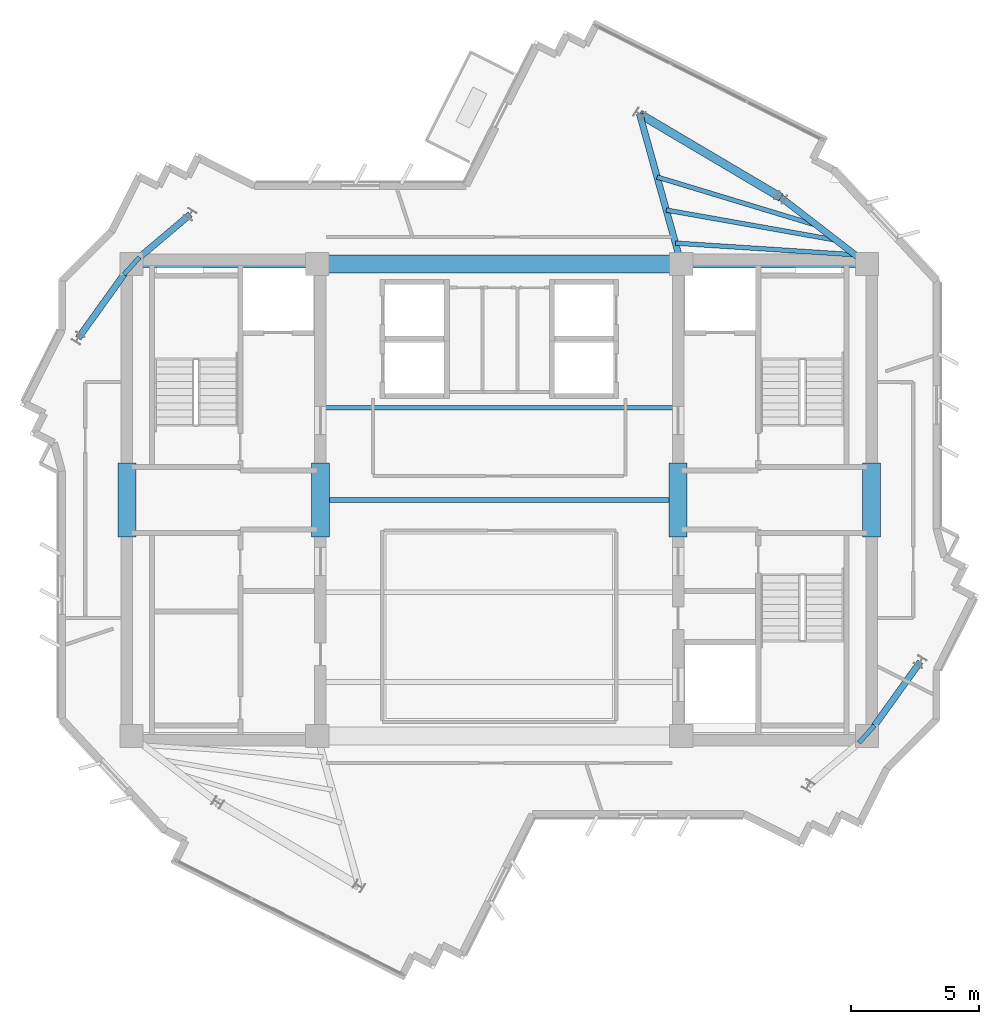
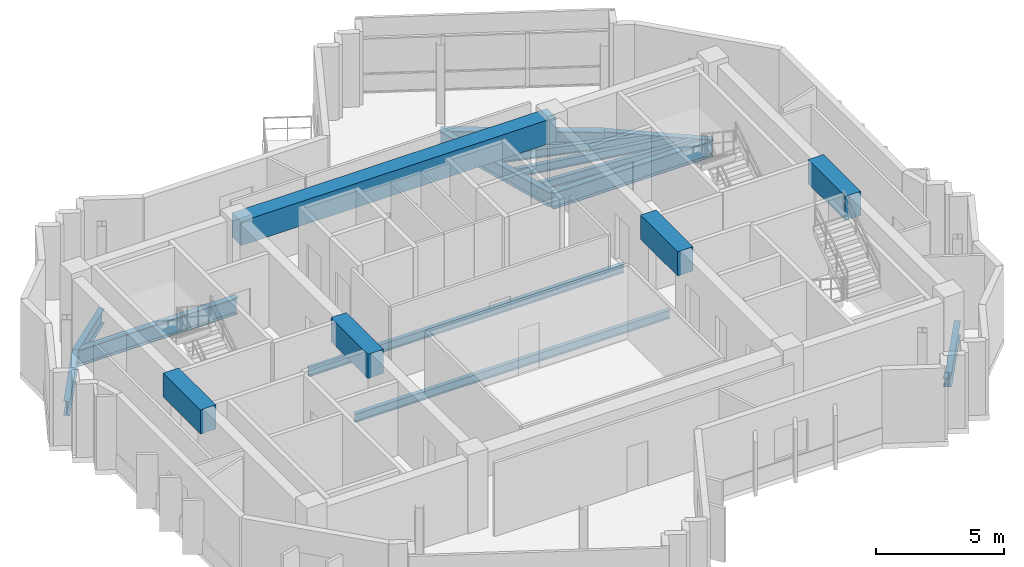
# One storey, part 3 of 11: 20 beams.
"""IFC4 building model written with IfcOpenShell, lengths in metres."""

from ifc_helpers import new_model, si_unit, direction, frame, origin, origin_2d, place, context, subcontext, project, spatial, rectangle, i_section, extrude, source, transform, mapped, material, material_profile, profile_set, type_object, element, save


model = new_model("IFC4")

# Units and contexts
model_context = context("Model", 3, precision=1e-05, world=origin(), true_north=direction((0.0, 1.0)))
body_context = subcontext(model_context, "Body", "Model", "MODEL_VIEW")
ifc_project = project(units=[si_unit("LENGTHUNIT", "METRE"), si_unit("AREAUNIT", "SQUARE_METRE"), si_unit("VOLUMEUNIT", "CUBIC_METRE"), si_unit("PLANEANGLEUNIT", "RADIAN"), si_unit("MASSUNIT", "GRAM", prefix="KILO")], contexts=[model_context])

# Site, building, storey
site_placement = place(None, origin())
site = spatial("IfcSite", under=ifc_project, at=site_placement, CompositionType="ELEMENT")
building_placement = place(site_placement, origin())
building = spatial("IfcBuilding", under=site, at=building_placement, Name="Zahravan Cultural Tower", CompositionType="ELEMENT")
storey_placement = place(building_placement, frame((0.0, 0.0, 353.550048828125)))
storey = spatial("IfcBuildingStorey", under=building, at=storey_placement, Name="L86", CompositionType="ELEMENT", Elevation=353.550048828125)

# Beams
ifc_material_1 = material(Name="Concrete C50/60", Category="concrete")
ifc_material_profile_1 = material_profile(ifc_material_1, rectangle(XDim=0.699951171875, YDim=1.14990234375, at=origin_2d()), Name="RC700X1150")
ifc_profile_set_1 = profile_set([ifc_material_profile_1], Name="Concrete C50/60")
beam_type_1 = type_object("IfcBeamType", Name="BM-LN-RC700X1150", PredefinedType="LINTEL", material=ifc_profile_set_1)
shared_shape_1 = source(origin(), body_context, "Body", "SweptSolid", [
    extrude(rectangle(XDim=0.699951171875, YDim=1.14990234375, at=origin_2d()), origin(), (0.0, 0.0, 1.0), 14.2001953125),
])
beam_1_placement = place(storey_placement, frame((28.89990234375, 36.199951171875, 2.925048828125), z_axis=(1.0, 0.0, 0.0), x_axis=(0.0, 1.0, 0.0)))
element("IfcBeam", 1, at=beam_1_placement, inside=storey, type_object=beam_type_1, Name="L86 Beam LN-L86-N", PredefinedType="LINTEL", context=body_context, shape_type="MappedRepresentation", body=[
    mapped(shared_shape_1, transform((0.0, 0.0, 0.0), x_axis=(1.0, 0.0, 0.0), y_axis=(0.0, 1.0, 0.0), z_axis=(0.0, 0.0, 1.0), scale=1.0)),
])
shared_shape_2 = source(origin(), body_context, "Body", "SweptSolid", [
    extrude(rectangle(XDim=0.699951171875, YDim=1.14990234375, at=origin_2d()), origin(), (0.0, 0.0, 1.0), 2.89990234375),
])
for number, where, z_axis, x_axis, name in (
    (2, (21.47509765625, 25.550048828125, 2.925048828125), (0.0, 1.0, 0.0), (-1.0, 0.0, 0.0), "L86 Beam LN-L86-PWW"),
    (3, (29.02490234375, 25.550048828125, 2.925048828125), (0.0, 1.0, 0.0), (-1.0, 0.0, 0.0), "L86 Beam LN-L86-PWE"),
    (4, (42.97509765625, 25.550048828125, 2.925048828125), (0.0, 1.0, 0.0), (-1.0, 0.0, 0.0), "L86 Beam LN-L86-PEW"),
    (5, (50.52490234375, 25.550048828125, 2.925048828125), (0.0, 1.0, 0.0), (-1.0, 0.0, 0.0), "L86 Beam LN-L86-PEE"),
):
    element("IfcBeam", number, at=place(storey_placement, frame(where, z_axis=z_axis, x_axis=x_axis)), inside=storey, type_object=beam_type_1, Name=name, PredefinedType="LINTEL", context=body_context, shape_type="MappedRepresentation", body=[
        mapped(shared_shape_2, transform((0.0, 0.0, 0.0), x_axis=(1.0, 0.0, 0.0), y_axis=(0.0, 1.0, 0.0), z_axis=(0.0, 0.0, 1.0), scale=1.0)),
    ])
ifc_material_2 = material(Name="Steel ASTM A992 Grade 50", Category="steel")
ifc_material_profile_2 = material_profile(ifc_material_2, i_section(OverallWidth=0.26611328125, OverallDepth=0.780029296875, WebThickness=0.0166015625, FlangeThickness=0.030029296875, FilletRadius=0.01904296875, at=origin_2d()), Name="W30X148")
ifc_profile_set_2 = profile_set([ifc_material_profile_2], Name="Steel ASTM A992 Grade 50")
beam_type_2 = type_object("IfcBeamType", Name="BM-G-W30X148", PredefinedType="BEAM", material=ifc_profile_set_2)
shared_shape_3 = source(origin(), body_context, "Body", "SweptSolid", [
    extrude(i_section(OverallWidth=0.26611328125, OverallDepth=0.780029296875, WebThickness=0.0166015625, FlangeThickness=0.030029296875, FilletRadius=0.01904296875, at=origin_2d()), origin(), (0.0, 0.0, 1.0), 7.25),
])
for number, where, z_axis, x_axis, name in (
    (6, (21.64990234375, 36.199951171875, -0.64013671875), (1.0, 0.0, 0.0), (0.0, 1.0, 0.0), "L86 Beam BG-L86-02"),
    (7, (43.10009765625, 36.199951171875, -0.64013671875), (1.0, 0.0, 0.0), (0.0, 1.0, 0.0), "L86 Beam BG-L86-05"),
):
    element("IfcBeam", number, at=place(storey_placement, frame(where, z_axis=z_axis, x_axis=x_axis)), inside=storey, type_object=beam_type_2, Name=name, PredefinedType="BEAM", context=body_context, shape_type="MappedRepresentation", body=[
        mapped(shared_shape_3, transform((0.0, 0.0, 0.0), x_axis=(1.0, 0.0, 0.0), y_axis=(0.0, 1.0, 0.0), z_axis=(0.0, 0.0, 1.0), scale=1.0)),
    ])
ifc_material_profile_3 = material_profile(ifc_material_2, i_section(OverallWidth=0.326904296875, OverallDepth=0.6220703125, WebThickness=0.015380859375, FlangeThickness=0.0244140625, FilletRadius=0.014892578125, at=origin_2d()), Name="W24X131")
ifc_profile_set_3 = profile_set([ifc_material_profile_3], Name="Steel ASTM A992 Grade 50")
beam_type_3 = type_object("IfcBeamType", Name="BM-SP-W24X131", PredefinedType="SPANDREL", material=ifc_profile_set_3)
shared_shape_4 = source(origin(), body_context, "Body", "SweptSolid", [
    extrude(i_section(OverallWidth=0.326904296875, OverallDepth=0.6220703125, WebThickness=0.015380859375, FlangeThickness=0.0244140625, FilletRadius=0.014892578125, at=origin_2d()), origin(), (0.0, 0.0, 1.0), 6.400634765625),
])
beam_2_placement = place(storey_placement, frame((46.98388671875, 38.7998046875, -0.56103515625), z_axis=(-0.860706991833, 0.509100652337, 0.0), x_axis=(-0.509100652337, -0.860706991833, 0.0)))
element("IfcBeam", 8, at=beam_2_placement, inside=storey, type_object=beam_type_3, Name="L86 Beam SP-L86-17", PredefinedType="SPANDREL", context=body_context, shape_type="MappedRepresentation", body=[
    mapped(shared_shape_4, transform((0.0, 0.0, 0.0), x_axis=(1.0, 0.0, 0.0), y_axis=(0.0, 1.0, 0.0), z_axis=(0.0, 0.0, 1.0), scale=1.0)),
])
ifc_material_profile_4 = material_profile(ifc_material_2, i_section(OverallWidth=0.177978515625, OverallDepth=0.406005859375, WebThickness=0.0078125, FlangeThickness=0.0126953125, FilletRadius=0.011962890625, at=origin_2d()), Name="W16X40")
ifc_profile_set_4 = profile_set([ifc_material_profile_4], Name="Steel ASTM A992 Grade 50")
beam_type_4 = type_object("IfcBeamType", Name="BM-J-W16X40", PredefinedType="JOIST", material=ifc_profile_set_4)
shared_shape_5 = source(origin(), body_context, "Body", "SweptSolid", [
    extrude(i_section(OverallWidth=0.177978515625, OverallDepth=0.406005859375, WebThickness=0.0078125, FlangeThickness=0.0126953125, FilletRadius=0.011962890625, at=origin_2d()), origin(), (0.0, 0.0, 1.0), 14.2001953125),
])
for number, where, z_axis, x_axis, name in (
    (9, (28.89990234375, 27.0, -0.453125), (1.0, 0.0, 0.0), (0.0, 1.0, 0.0), "L86 Beam BJ-L86-22"),
    (10, (28.89990234375, 30.60009765625, -0.453125), (1.0, 0.0, 0.0), (0.0, 1.0, 0.0), "L86 Beam BJ-L86-23"),
):
    element("IfcBeam", number, at=place(storey_placement, frame(where, z_axis=z_axis, x_axis=x_axis)), inside=storey, type_object=beam_type_4, Name=name, PredefinedType="JOIST", context=body_context, shape_type="MappedRepresentation", body=[
        mapped(shared_shape_5, transform((0.0, 0.0, 0.0), x_axis=(1.0, 0.0, 0.0), y_axis=(0.0, 1.0, 0.0), z_axis=(0.0, 0.0, 1.0), scale=1.0)),
    ])
shared_shape_6 = source(origin(), body_context, "Body", "SweptSolid", [
    extrude(i_section(OverallWidth=0.177978515625, OverallDepth=0.406005859375, WebThickness=0.0078125, FlangeThickness=0.0126953125, FilletRadius=0.011962890625, at=origin_2d()), origin(), (0.0, 0.0, 1.0), 7.02099609375),
])
beam_3_placement = place(storey_placement, frame((49.878662109375, 36.56396484375, -0.453125), z_axis=(-0.99788584579, 0.064991066863, 0.0), x_axis=(-0.064991066863, -0.99788584579, 0.0)))
element("IfcBeam", 11, at=beam_3_placement, inside=storey, type_object=beam_type_4, Name="L86 Beam BJ-L86-40", PredefinedType="JOIST", context=body_context, shape_type="MappedRepresentation", body=[
    mapped(shared_shape_6, transform((0.0, 0.0, 0.0), x_axis=(1.0, 0.0, 0.0), y_axis=(0.0, 1.0, 0.0), z_axis=(0.0, 0.0, 1.0), scale=1.0)),
])
shared_shape_7 = source(origin(), body_context, "Body", "SweptSolid", [
    extrude(i_section(OverallWidth=0.177978515625, OverallDepth=0.406005859375, WebThickness=0.0078125, FlangeThickness=0.0126953125, FilletRadius=0.011962890625, at=origin_2d()), origin(), (0.0, 0.0, 1.0), 6.726318359375),
])
beam_4_placement = place(storey_placement, frame((49.13818359375, 37.135986328125, -0.453125), z_axis=(-0.98467447748, 0.17440233198, 0.0), x_axis=(-0.17440233198, -0.98467447748, 0.0)))
element("IfcBeam", 12, at=beam_4_placement, inside=storey, type_object=beam_type_4, Name="L86 Beam BJ-L86-42", PredefinedType="JOIST", context=body_context, shape_type="MappedRepresentation", body=[
    mapped(shared_shape_7, transform((0.0, 0.0, 0.0), x_axis=(1.0, 0.0, 0.0), y_axis=(0.0, 1.0, 0.0), z_axis=(0.0, 0.0, 1.0), scale=1.0)),
])
shared_shape_8 = source(origin(), body_context, "Body", "SweptSolid", [
    extrude(i_section(OverallWidth=0.177978515625, OverallDepth=0.406005859375, WebThickness=0.0078125, FlangeThickness=0.0126953125, FilletRadius=0.011962890625, at=origin_2d()), origin(), (0.0, 0.0, 1.0), 6.520263671875),
])
beam_5_placement = place(storey_placement, frame((48.397705078125, 37.707763671875, -0.453125), z_axis=(-0.957060297679, 0.289888921151, 0.0), x_axis=(-0.289888921151, -0.957060297679, 0.0)))
element("IfcBeam", 13, at=beam_5_placement, inside=storey, type_object=beam_type_4, Name="L86 Beam BJ-L86-44", PredefinedType="JOIST", context=body_context, shape_type="MappedRepresentation", body=[
    mapped(shared_shape_8, transform((0.0, 0.0, 0.0), x_axis=(1.0, 0.0, 0.0), y_axis=(0.0, 1.0, 0.0), z_axis=(0.0, 0.0, 1.0), scale=1.0)),
])
shared_shape_9 = source(origin(), body_context, "Body", "SweptSolid", [
    extrude(i_section(OverallWidth=0.177978515625, OverallDepth=0.406005859375, WebThickness=0.0078125, FlangeThickness=0.0126953125, FilletRadius=0.011962890625, at=origin_2d()), origin(), (0.0, 0.0, 1.0), 0.91162109375),
])
for number, where, z_axis, x_axis, name in (
    (14, (50.02880859375, 17.5283203125, -0.453125), (0.670590689022, 0.741827559341, 0.0), (-0.741827559341, 0.670590689022, 0.0), "L86 Beam BJ-L86-32"),
    (15, (21.97119140625, 36.4716796875, -0.453125), (-0.670590689022, -0.741827559341, 0.0), (0.741827559341, -0.670590689022, 0.0), "L86 Beam BJ-L86-48"),
):
    element("IfcBeam", number, at=place(storey_placement, frame(where, z_axis=z_axis, x_axis=x_axis)), inside=storey, type_object=beam_type_4, Name=name, PredefinedType="JOIST", context=body_context, shape_type="MappedRepresentation", body=[
        mapped(shared_shape_9, transform((0.0, 0.0, 0.0), x_axis=(1.0, 0.0, 0.0), y_axis=(0.0, 1.0, 0.0), z_axis=(0.0, 0.0, 1.0), scale=1.0)),
    ])
ifc_material_profile_5 = material_profile(ifc_material_2, i_section(OverallWidth=0.25390625, OverallDepth=0.68798828125, WebThickness=0.01318359375, FlangeThickness=0.02099609375, FilletRadius=0.01806640625, at=origin_2d()), Name="W27X102")
ifc_profile_set_5 = profile_set([ifc_material_profile_5], Name="Steel ASTM A992 Grade 50")
beam_type_5 = type_object("IfcBeamType", Name="BM-G-W27X102", PredefinedType="BEAM", material=ifc_profile_set_5)
shared_shape_10 = source(origin(), body_context, "Body", "SweptSolid", [
    extrude(i_section(OverallWidth=0.25390625, OverallDepth=0.68798828125, WebThickness=0.01318359375, FlangeThickness=0.02099609375, FilletRadius=0.01806640625, at=origin_2d()), origin(), (0.0, 0.0, 1.0), 4.25341796875),
])
beam_6_placement = place(storey_placement, frame((50.35009765625, 36.199951171875, -0.593994140625), z_axis=(-0.791433936253, 0.611254713313, 0.0), x_axis=(-0.611254713313, -0.791433936253, 0.0)))
element("IfcBeam", 16, at=beam_6_placement, inside=storey, type_object=beam_type_5, Name="L86 Beam BG-L86-11", PredefinedType="BEAM", context=body_context, shape_type="MappedRepresentation", body=[
    mapped(shared_shape_10, transform((0.0, 0.0, 0.0), x_axis=(1.0, 0.0, 0.0), y_axis=(0.0, 1.0, 0.0), z_axis=(0.0, 0.0, 1.0), scale=1.0)),
])
shared_shape_11 = source(origin(), body_context, "Body", "SweptSolid", [
    extrude(i_section(OverallWidth=0.25390625, OverallDepth=0.68798828125, WebThickness=0.01318359375, FlangeThickness=0.02099609375, FilletRadius=0.01806640625, at=origin_2d()), origin(), (0.0, 0.0, 1.0), 6.07958984375),
])
beam_7_placement = place(storey_placement, frame((43.10009765625, 36.199951171875, -0.593994140625), z_axis=(-0.267324894686, 0.963606455292, 0.0), x_axis=(-0.963606455292, -0.267324894686, 0.0)))
element("IfcBeam", 17, at=beam_7_placement, inside=storey, type_object=beam_type_5, Name="L86 Beam BG-L86-12", PredefinedType="BEAM", context=body_context, shape_type="MappedRepresentation", body=[
    mapped(shared_shape_11, transform((0.0, 0.0, 0.0), x_axis=(1.0, 0.0, 0.0), y_axis=(0.0, 1.0, 0.0), z_axis=(0.0, 0.0, 1.0), scale=1.0)),
])
shared_shape_12 = source(origin(), body_context, "Body", "SweptSolid", [
    extrude(i_section(OverallWidth=0.25390625, OverallDepth=0.68798828125, WebThickness=0.01318359375, FlangeThickness=0.02099609375, FilletRadius=0.01806640625, at=origin_2d()), origin(), (0.0, 0.0, 1.0), 3.00537109375),
])
beam_8_placement = place(storey_placement, frame((21.64990234375, 36.199951171875, -0.593994140625), z_axis=(0.763546494847, 0.645752855361, 0.0), x_axis=(-0.645752855361, 0.763546494847, 0.0)))
element("IfcBeam", 18, at=beam_8_placement, inside=storey, type_object=beam_type_5, Name="L86 Beam BG-L86-13", PredefinedType="BEAM", context=body_context, shape_type="MappedRepresentation", body=[
    mapped(shared_shape_12, transform((0.0, 0.0, 0.0), x_axis=(1.0, 0.0, 0.0), y_axis=(0.0, 1.0, 0.0), z_axis=(0.0, 0.0, 1.0), scale=1.0)),
])
shared_shape_13 = source(origin(), body_context, "Body", "SweptSolid", [
    extrude(i_section(OverallWidth=0.25390625, OverallDepth=0.68798828125, WebThickness=0.01318359375, FlangeThickness=0.02099609375, FilletRadius=0.01806640625, at=origin_2d()), origin(), (0.0, 0.0, 1.0), 3.5556640625),
])
for number, where, z_axis, x_axis, name in (
    (19, (50.35009765625, 17.800048828125, -0.593994140625), (0.58288028137, 0.812558045674, 0.0), (-0.812558045674, 0.58288028137, 0.0), "L86 Beam BG-L86-10"),
    (20, (21.64990234375, 36.199951171875, -0.593994140625), (-0.58288028137, -0.812558045674, 0.0), (0.812558045674, -0.58288028137, 0.0), "L86 Beam BG-L86-14"),
):
    element("IfcBeam", number, at=place(storey_placement, frame(where, z_axis=z_axis, x_axis=x_axis)), inside=storey, type_object=beam_type_5, Name=name, PredefinedType="BEAM", context=body_context, shape_type="MappedRepresentation", body=[
        mapped(shared_shape_13, transform((0.0, 0.0, 0.0), x_axis=(1.0, 0.0, 0.0), y_axis=(0.0, 1.0, 0.0), z_axis=(0.0, 0.0, 1.0), scale=1.0)),
    ])

save(model, "model.ifc")
